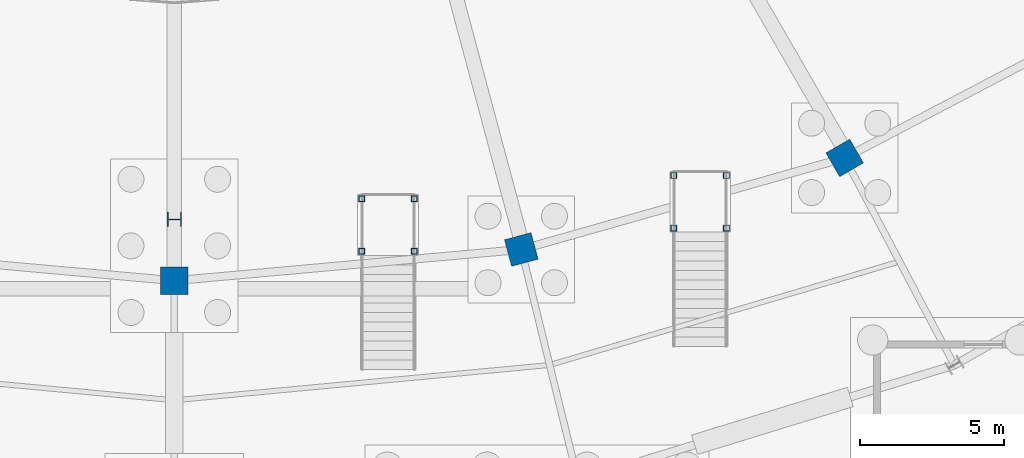
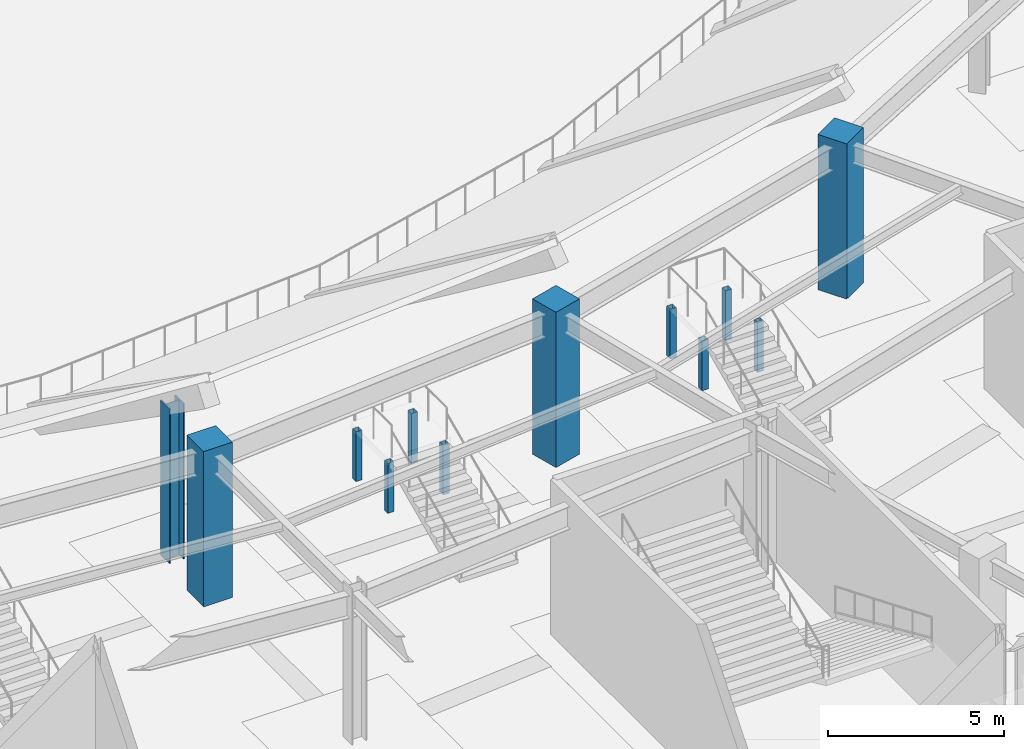
# One storey, part 17 of 93: 12 columns.
"""IFC4 building model written with IfcOpenShell, lengths in metres."""

from ifc_helpers import new_model, si_unit, direction, frame, origin, origin_2d, place, context, subcontext, project, spatial, rectangle, hollow_rectangle, i_section, extrude, material, material_profile, profile_set, type_object, element, save


model = new_model("IFC4")

# Units and contexts
model_context = context("Model", 3, precision=1e-05, world=origin(), true_north=direction((0.0, 1.0)))
body_context = subcontext(model_context, "Body", "Model", "MODEL_VIEW")
ifc_project = project(units=[si_unit("LENGTHUNIT", "METRE"), si_unit("AREAUNIT", "SQUARE_METRE"), si_unit("VOLUMEUNIT", "CUBIC_METRE"), si_unit("PLANEANGLEUNIT", "RADIAN"), si_unit("MASSUNIT", "GRAM", prefix="KILO")], contexts=[model_context])

# Site, building, storey
site_placement = place(None, origin())
site = spatial("IfcSite", under=ifc_project, at=site_placement, CompositionType="ELEMENT")
building_placement = place(site_placement, origin())
building = spatial("IfcBuilding", under=site, at=building_placement, Name="Kalgoora Escarpment Arena", CompositionType="ELEMENT")
storey_placement = place(building_placement, origin())
storey = spatial("IfcBuildingStorey", under=building, at=storey_placement, Name="L00", CompositionType="ELEMENT", Elevation=0.0)

# Columns
ifc_material_1 = material(Name="Structural steel Grade 350 (350 MPa)", Category="steel")
ifc_material_profile_1 = material_profile(ifc_material_1, i_section(OverallWidth=0.5, OverallDepth=0.5, WebThickness=0.02490234375, FlangeThickness=0.0419921875, at=origin_2d()))
ifc_profile_set_1 = profile_set([ifc_material_profile_1], Name="Structural steel Grade 350 (350 MPa)")
column_type_1 = type_object("IfcColumnType", Name="COL-COL-500WC440", PredefinedType="COLUMN", material=ifc_profile_set_1)
column_placement = place(storey_placement, frame((92.39990234375, 34.39990234375, 0.0), z_axis=(0.0, 0.0, 1.0), x_axis=(0.0, -1.0, 0.0)))
element("IfcColumn", 1, at=column_placement, inside=storey, type_object=column_type_1, Name="L00 structural column COL-TSPINE-S07", PredefinedType="COLUMN", context=body_context, shape_type="SweptSolid", body=[
    extrude(i_section(OverallWidth=0.5, OverallDepth=0.5, WebThickness=0.02490234375, FlangeThickness=0.0419921875, at=origin_2d()), origin(), (0.0, 0.0, 1.0), 5.39990234375),
])
ifc_material_2 = material(Name="Concrete N50 (fc' 50 MPa)", Category="concrete")
ifc_material_profile_2 = material_profile(ifc_material_2, rectangle(XDim=0.949951171875, YDim=0.949951171875, at=origin_2d()))
ifc_profile_set_2 = profile_set([ifc_material_profile_2], Name="Concrete N50 (fc' 50 MPa)")
column_type_2 = type_object("IfcColumnType", Name="COL-COL-RC950x950", PredefinedType="COLUMN", material=ifc_profile_set_2)
for number, where, z_axis, x_axis, name in (
    (2, (92.39990234375, 32.280029296875, 0.0), (0.0, 0.0, 1.0), (0.0, -1.0, 0.0), "L00 structural column COL-RMID-R19"),
    (3, (104.411865234375, 33.36083984375, 0.0), (0.0, 0.0, 1.0), (0.258819045103, -0.965925826289, 0.0), "L00 structural column COL-RMID-R20"),
    (4, (115.60498046875, 36.52978515625, 0.0), (0.0, 0.0, 1.0), (0.5, -0.866025403784, 0.0), "L00 structural column COL-RMID-R21"),
):
    element("IfcColumn", number, at=place(storey_placement, frame(where, z_axis=z_axis, x_axis=x_axis)), inside=storey, type_object=column_type_2, Name=name, PredefinedType="COLUMN", context=body_context, shape_type="SweptSolid", body=[
        extrude(rectangle(XDim=0.949951171875, YDim=0.949951171875, at=origin_2d()), origin(), (0.0, 0.0, 1.0), 5.39990234375),
    ])
ifc_material_3 = material(Name="Structural steel C350 (350 MPa)", Category="steel")
ifc_material_profile_3 = material_profile(ifc_material_3, hollow_rectangle(XDim=0.199951171875, YDim=0.199951171875, WallThickness=0.009033203125, at=origin_2d()))
ifc_profile_set_3 = profile_set([ifc_material_profile_3], Name="Structural steel C350 (350 MPa)")
column_type_3 = type_object("IfcColumnType", Name="COL-VST-POST", PredefinedType="COLUMN", material=ifc_profile_set_3)
for number, where, z_axis, x_axis, name in (
    (5, (98.889892578125, 33.300048828125, 0.0), (0.0, 0.0, 1.0), (1.0, 0.0, 0.0), "Vomitory landing support post VST07-1"),
    (6, (100.7099609375, 33.300048828125, 0.0), (0.0, 0.0, 1.0), (1.0, 0.0, 0.0), "Vomitory landing support post VST07-2"),
    (7, (98.889892578125, 35.1201171875, 0.0), (0.0, 0.0, 1.0), (1.0, 0.0, 0.0), "Vomitory landing support post VST07-3"),
    (8, (100.7099609375, 35.1201171875, 0.0), (0.0, 0.0, 1.0), (1.0, 0.0, 0.0), "Vomitory landing support post VST07-4"),
    (9, (109.68994140625, 34.10009765625, 0.0), (0.0, 0.0, 1.0), (1.0, 0.0, 0.0), "Vomitory landing support post VST08-1"),
    (10, (111.510009765625, 34.10009765625, 0.0), (0.0, 0.0, 1.0), (1.0, 0.0, 0.0), "Vomitory landing support post VST08-2"),
    (11, (109.68994140625, 35.919921875, 0.0), (0.0, 0.0, 1.0), (1.0, 0.0, 0.0), "Vomitory landing support post VST08-3"),
    (12, (111.510009765625, 35.919921875, 0.0), (0.0, 0.0, 1.0), (1.0, 0.0, 0.0), "Vomitory landing support post VST08-4"),
):
    element("IfcColumn", number, at=place(storey_placement, frame(where, z_axis=z_axis, x_axis=x_axis)), inside=storey, type_object=column_type_3, Name=name, PredefinedType="COLUMN", context=body_context, shape_type="SweptSolid", body=[
        extrude(hollow_rectangle(XDim=0.199951171875, YDim=0.199951171875, WallThickness=0.009033203125, at=origin_2d()), origin(), (0.0, 0.0, 1.0), 1.72998046875),
    ])

save(model, "model.ifc")
